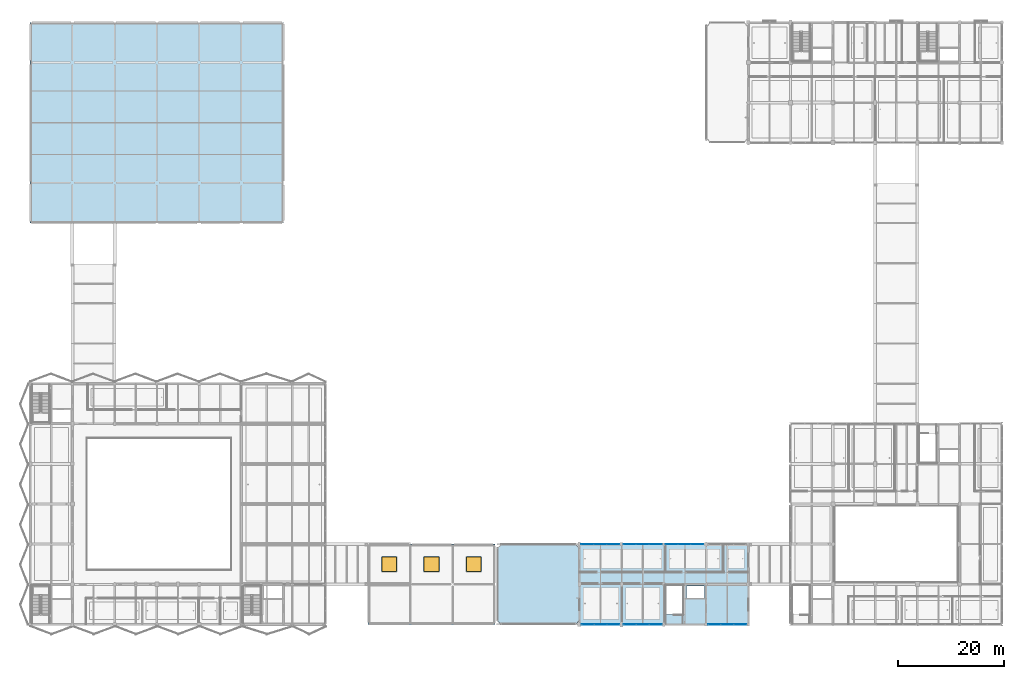
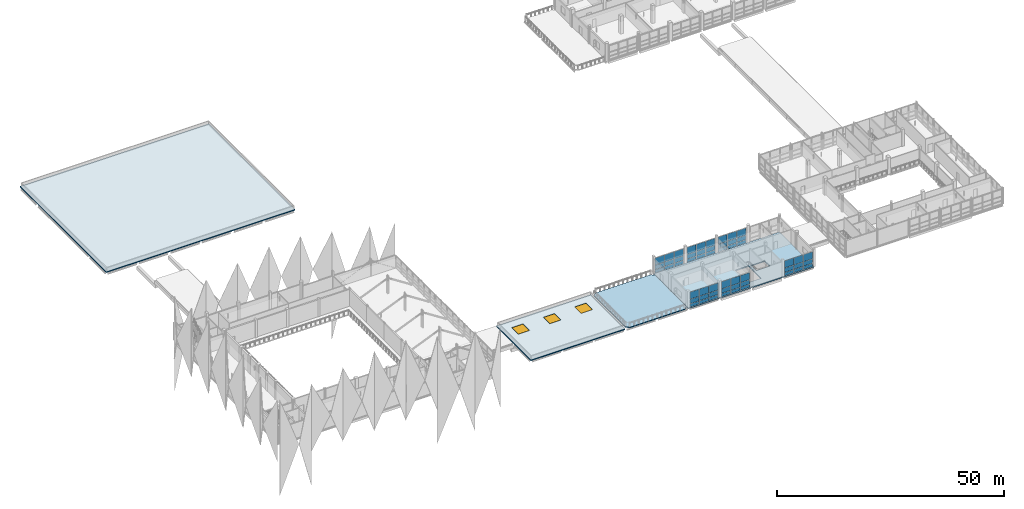
# One storey, part 59 of 107: 54 plates, 4 slabs, 3 windows, 3 openings, 6 elements without a shape of their own.
"""IFC4 building model written with IfcOpenShell, lengths in metres."""

from ifc_helpers import new_model, si_unit, direction, frame, origin, origin_2d, place, context, subcontext, project, spatial, polyline, rectangle, outline, extrude, material, layer, layer_set, type_object, element, fill, aggregate, save


model = new_model("IFC4")

# Units and contexts
model_context = context("Model", 3, precision=1e-05, world=origin(), true_north=direction((0.0, 1.0)))
body_context = subcontext(model_context, "Body", "Model", "MODEL_VIEW")
ifc_project = project(units=[si_unit("LENGTHUNIT", "METRE"), si_unit("AREAUNIT", "SQUARE_METRE"), si_unit("VOLUMEUNIT", "CUBIC_METRE"), si_unit("PLANEANGLEUNIT", "RADIAN"), si_unit("MASSUNIT", "GRAM", prefix="KILO")], contexts=[model_context])

# Site, building, storey
site_placement = place(None, origin())
site = spatial("IfcSite", under=ifc_project, at=site_placement, CompositionType="ELEMENT")
building_placement = place(site_placement, origin())
building = spatial("IfcBuilding", under=site, at=building_placement, Name="Khelvaren Railside Concert Hall", CompositionType="ELEMENT")
storey_placement = place(building_placement, frame((0.0, 0.0, 15.0)))
storey = spatial("IfcBuildingStorey", under=building, at=storey_placement, Name="L03", CompositionType="ELEMENT", Elevation=15.0)

# Curtain wall, plates
ifc_material_1 = material(Name="Double-glazed low-E dark acoustic glass", Category="glass")
curtain_wall_type_1 = type_object("IfcCurtainWallType", Name="CW94", PredefinedType="USERDEFINED", material=ifc_material_1)
curtain_wall_1_placement = place(storey_placement, origin())
curtain_wall_1 = element("IfcCurtainWall", 1, at=curtain_wall_1_placement, inside=storey, type_object=curtain_wall_type_1, Name="Unitised Curtain Wall CW-V3-L03-S-104", ObjectType="UNITISED CURTAIN WALL", PredefinedType="USERDEFINED")
ifc_layer_1 = layer(ifc_material_1, 0.031982421875)
ifc_layer_set_1 = layer_set([ifc_layer_1], Name="Double-glazed low-E dark acoustic glass")
plate_type = type_object("IfcPlateType", Name="CWP84", PredefinedType="CURTAIN_PANEL", material=ifc_layer_set_1)
plate_1_placement = place(storey_placement, frame((110.413818359375, 0.0, 0.06494140625), z_axis=(0.0, 0.0, 1.0), x_axis=(-1.0, 0.0, 0.0)))
plate_1 = element("IfcPlate", 2, at=plate_1_placement, type_object=plate_type, Name="CW94 panel 1.1", PredefinedType="CURTAIN_PANEL", context=body_context, shape_type="SweptSolid", body=[
    extrude(rectangle(XDim=2.3076171875, YDim=0.031982421875, at=origin_2d()), origin(), (0.0, 0.0, 1.0), 0.8525390625),
])
plate_2_placement = place(storey_placement, frame((110.413818359375, 0.0, 0.982666015625), z_axis=(0.0, 0.0, 1.0), x_axis=(-1.0, 0.0, 0.0)))
plate_2 = element("IfcPlate", 3, at=plate_2_placement, type_object=plate_type, Name="CW94 panel 1.2", PredefinedType="CURTAIN_PANEL", context=body_context, shape_type="SweptSolid", body=[
    extrude(rectangle(XDim=2.3076171875, YDim=0.031982421875, at=origin_2d()), origin(), (0.0, 0.0, 1.0), 1.1376953125),
])
plate_3_placement = place(storey_placement, frame((110.413818359375, 0.0, 2.185302734375), z_axis=(0.0, 0.0, 1.0), x_axis=(-1.0, 0.0, 0.0)))
plate_3 = element("IfcPlate", 4, at=plate_3_placement, type_object=plate_type, Name="CW94 panel 1.3", PredefinedType="CURTAIN_PANEL", context=body_context, shape_type="SweptSolid", body=[
    extrude(rectangle(XDim=2.3076171875, YDim=0.031982421875, at=origin_2d()), origin(), (0.0, 0.0, 1.0), 1.8896484375),
])
plate_4_placement = place(storey_placement, frame((108.02490234375, 0.0, 0.06494140625), z_axis=(0.0, 0.0, 1.0), x_axis=(-1.0, 0.0, 0.0)))
plate_4 = element("IfcPlate", 5, at=plate_4_placement, type_object=plate_type, Name="CW94 panel 2.1", PredefinedType="CURTAIN_PANEL", context=body_context, shape_type="SweptSolid", body=[
    extrude(rectangle(XDim=2.340087890625, YDim=0.031982421875, at=origin_2d()), origin(), (0.0, 0.0, 1.0), 0.8525390625),
])
plate_5_placement = place(storey_placement, frame((108.02490234375, 0.0, 0.982666015625), z_axis=(0.0, 0.0, 1.0), x_axis=(-1.0, 0.0, 0.0)))
plate_5 = element("IfcPlate", 6, at=plate_5_placement, type_object=plate_type, Name="CW94 panel 2.2", PredefinedType="CURTAIN_PANEL", context=body_context, shape_type="SweptSolid", body=[
    extrude(rectangle(XDim=2.340087890625, YDim=0.031982421875, at=origin_2d()), origin(), (0.0, 0.0, 1.0), 1.1376953125),
])
plate_6_placement = place(storey_placement, frame((108.02490234375, 0.0, 2.185302734375), z_axis=(0.0, 0.0, 1.0), x_axis=(-1.0, 0.0, 0.0)))
plate_6 = element("IfcPlate", 7, at=plate_6_placement, type_object=plate_type, Name="CW94 panel 2.3", PredefinedType="CURTAIN_PANEL", context=body_context, shape_type="SweptSolid", body=[
    extrude(rectangle(XDim=2.340087890625, YDim=0.031982421875, at=origin_2d()), origin(), (0.0, 0.0, 1.0), 1.8896484375),
])
plate_7_placement = place(storey_placement, frame((105.63623046875, 0.0, 0.06494140625), z_axis=(0.0, 0.0, 1.0), x_axis=(-1.0, 0.0, 0.0)))
plate_7 = element("IfcPlate", 8, at=plate_7_placement, type_object=plate_type, Name="CW94 panel 3.1", PredefinedType="CURTAIN_PANEL", context=body_context, shape_type="SweptSolid", body=[
    extrude(rectangle(XDim=2.3076171875, YDim=0.031982421875, at=origin_2d()), origin(), (0.0, 0.0, 1.0), 0.8525390625),
])
plate_8_placement = place(storey_placement, frame((105.63623046875, 0.0, 0.982666015625), z_axis=(0.0, 0.0, 1.0), x_axis=(-1.0, 0.0, 0.0)))
plate_8 = element("IfcPlate", 9, at=plate_8_placement, type_object=plate_type, Name="CW94 panel 3.2", PredefinedType="CURTAIN_PANEL", context=body_context, shape_type="SweptSolid", body=[
    extrude(rectangle(XDim=2.3076171875, YDim=0.031982421875, at=origin_2d()), origin(), (0.0, 0.0, 1.0), 1.1376953125),
])
plate_9_placement = place(storey_placement, frame((105.63623046875, 0.0, 2.185302734375), z_axis=(0.0, 0.0, 1.0), x_axis=(-1.0, 0.0, 0.0)))
plate_9 = element("IfcPlate", 10, at=plate_9_placement, type_object=plate_type, Name="CW94 panel 3.3", PredefinedType="CURTAIN_PANEL", context=body_context, shape_type="SweptSolid", body=[
    extrude(rectangle(XDim=2.3076171875, YDim=0.031982421875, at=origin_2d()), origin(), (0.0, 0.0, 1.0), 1.8896484375),
])
aggregate(curtain_wall_1, [plate_1, plate_2, plate_3, plate_4, plate_5, plate_6, plate_7, plate_8, plate_9])

curtain_wall_type_2 = type_object("IfcCurtainWallType", Name="CW65", PredefinedType="USERDEFINED", material=ifc_material_1)
curtain_wall_2_placement = place(storey_placement, origin())
curtain_wall_2 = element("IfcCurtainWall", 11, at=curtain_wall_2_placement, inside=storey, type_object=curtain_wall_type_2, Name="Unitised Curtain Wall CW-V3-L03-S-112", ObjectType="UNITISED CURTAIN WALL", PredefinedType="USERDEFINED")
plate_10_placement = place(storey_placement, frame((118.447021484375, 0.0, 0.06494140625), z_axis=(0.0, 0.0, 1.0), x_axis=(-1.0, 0.0, 0.0)))
plate_10 = element("IfcPlate", 12, at=plate_10_placement, type_object=plate_type, Name="CW65 panel 1.1", PredefinedType="CURTAIN_PANEL", context=body_context, shape_type="SweptSolid", body=[
    extrude(rectangle(XDim=2.3408203125, YDim=0.031982421875, at=origin_2d()), origin(), (0.0, 0.0, 1.0), 0.8525390625),
])
plate_11_placement = place(storey_placement, frame((118.447021484375, 0.0, 0.982666015625), z_axis=(0.0, 0.0, 1.0), x_axis=(-1.0, 0.0, 0.0)))
plate_11 = element("IfcPlate", 13, at=plate_11_placement, type_object=plate_type, Name="CW65 panel 1.2", PredefinedType="CURTAIN_PANEL", context=body_context, shape_type="SweptSolid", body=[
    extrude(rectangle(XDim=2.3408203125, YDim=0.031982421875, at=origin_2d()), origin(), (0.0, 0.0, 1.0), 1.1376953125),
])
plate_12_placement = place(storey_placement, frame((118.447021484375, 0.0, 2.185302734375), z_axis=(0.0, 0.0, 1.0), x_axis=(-1.0, 0.0, 0.0)))
plate_12 = element("IfcPlate", 14, at=plate_12_placement, type_object=plate_type, Name="CW65 panel 1.3", PredefinedType="CURTAIN_PANEL", context=body_context, shape_type="SweptSolid", body=[
    extrude(rectangle(XDim=2.3408203125, YDim=0.031982421875, at=origin_2d()), origin(), (0.0, 0.0, 1.0), 1.8896484375),
])
plate_13_placement = place(storey_placement, frame((116.02490234375, 0.0, 0.06494140625), z_axis=(0.0, 0.0, 1.0), x_axis=(-1.0, 0.0, 0.0)))
plate_13 = element("IfcPlate", 15, at=plate_13_placement, type_object=plate_type, Name="CW65 panel 2.1", PredefinedType="CURTAIN_PANEL", context=body_context, shape_type="SweptSolid", body=[
    extrude(rectangle(XDim=2.373291015625, YDim=0.031982421875, at=origin_2d()), origin(), (0.0, 0.0, 1.0), 0.8525390625),
])
plate_14_placement = place(storey_placement, frame((116.02490234375, 0.0, 0.982666015625), z_axis=(0.0, 0.0, 1.0), x_axis=(-1.0, 0.0, 0.0)))
plate_14 = element("IfcPlate", 16, at=plate_14_placement, type_object=plate_type, Name="CW65 panel 2.2", PredefinedType="CURTAIN_PANEL", context=body_context, shape_type="SweptSolid", body=[
    extrude(rectangle(XDim=2.373291015625, YDim=0.031982421875, at=origin_2d()), origin(), (0.0, 0.0, 1.0), 1.1376953125),
])
plate_15_placement = place(storey_placement, frame((116.02490234375, 0.0, 2.185302734375), z_axis=(0.0, 0.0, 1.0), x_axis=(-1.0, 0.0, 0.0)))
plate_15 = element("IfcPlate", 17, at=plate_15_placement, type_object=plate_type, Name="CW65 panel 2.3", PredefinedType="CURTAIN_PANEL", context=body_context, shape_type="SweptSolid", body=[
    extrude(rectangle(XDim=2.373291015625, YDim=0.031982421875, at=origin_2d()), origin(), (0.0, 0.0, 1.0), 1.8896484375),
])
plate_16_placement = place(storey_placement, frame((113.60302734375, 0.0, 0.06494140625), z_axis=(0.0, 0.0, 1.0), x_axis=(-1.0, 0.0, 0.0)))
plate_16 = element("IfcPlate", 18, at=plate_16_placement, type_object=plate_type, Name="CW65 panel 3.1", PredefinedType="CURTAIN_PANEL", context=body_context, shape_type="SweptSolid", body=[
    extrude(rectangle(XDim=2.3408203125, YDim=0.031982421875, at=origin_2d()), origin(), (0.0, 0.0, 1.0), 0.8525390625),
])
plate_17_placement = place(storey_placement, frame((113.60302734375, 0.0, 0.982666015625), z_axis=(0.0, 0.0, 1.0), x_axis=(-1.0, 0.0, 0.0)))
plate_17 = element("IfcPlate", 19, at=plate_17_placement, type_object=plate_type, Name="CW65 panel 3.2", PredefinedType="CURTAIN_PANEL", context=body_context, shape_type="SweptSolid", body=[
    extrude(rectangle(XDim=2.3408203125, YDim=0.031982421875, at=origin_2d()), origin(), (0.0, 0.0, 1.0), 1.1376953125),
])
plate_18_placement = place(storey_placement, frame((113.60302734375, 0.0, 2.185302734375), z_axis=(0.0, 0.0, 1.0), x_axis=(-1.0, 0.0, 0.0)))
plate_18 = element("IfcPlate", 20, at=plate_18_placement, type_object=plate_type, Name="CW65 panel 3.3", PredefinedType="CURTAIN_PANEL", context=body_context, shape_type="SweptSolid", body=[
    extrude(rectangle(XDim=2.3408203125, YDim=0.031982421875, at=origin_2d()), origin(), (0.0, 0.0, 1.0), 1.8896484375),
])
aggregate(curtain_wall_2, [plate_10, plate_11, plate_12, plate_13, plate_14, plate_15, plate_16, plate_17, plate_18])

curtain_wall_type_3 = type_object("IfcCurtainWallType", Name="CW69", PredefinedType="USERDEFINED", material=ifc_material_1)
curtain_wall_3_placement = place(storey_placement, origin())
curtain_wall_3 = element("IfcCurtainWall", 21, at=curtain_wall_3_placement, inside=storey, type_object=curtain_wall_type_3, Name="Unitised Curtain Wall CW-V3-L03-S-128", ObjectType="UNITISED CURTAIN WALL", PredefinedType="USERDEFINED")
plate_19_placement = place(storey_placement, frame((134.447021484375, 0.0, 0.06494140625), z_axis=(0.0, 0.0, 1.0), x_axis=(-1.0, 0.0, 0.0)))
plate_19 = element("IfcPlate", 22, at=plate_19_placement, type_object=plate_type, Name="CW69 panel 1.1", PredefinedType="CURTAIN_PANEL", context=body_context, shape_type="SweptSolid", body=[
    extrude(rectangle(XDim=2.3408203125, YDim=0.031982421875, at=origin_2d()), origin(), (0.0, 0.0, 1.0), 0.8525390625),
])
plate_20_placement = place(storey_placement, frame((134.447021484375, 0.0, 0.982666015625), z_axis=(0.0, 0.0, 1.0), x_axis=(-1.0, 0.0, 0.0)))
plate_20 = element("IfcPlate", 23, at=plate_20_placement, type_object=plate_type, Name="CW69 panel 1.2", PredefinedType="CURTAIN_PANEL", context=body_context, shape_type="SweptSolid", body=[
    extrude(rectangle(XDim=2.3408203125, YDim=0.031982421875, at=origin_2d()), origin(), (0.0, 0.0, 1.0), 1.1376953125),
])
plate_21_placement = place(storey_placement, frame((134.447021484375, 0.0, 2.185302734375), z_axis=(0.0, 0.0, 1.0), x_axis=(-1.0, 0.0, 0.0)))
plate_21 = element("IfcPlate", 24, at=plate_21_placement, type_object=plate_type, Name="CW69 panel 1.3", PredefinedType="CURTAIN_PANEL", context=body_context, shape_type="SweptSolid", body=[
    extrude(rectangle(XDim=2.3408203125, YDim=0.031982421875, at=origin_2d()), origin(), (0.0, 0.0, 1.0), 1.8896484375),
])
plate_22_placement = place(storey_placement, frame((132.02490234375, 0.0, 0.06494140625), z_axis=(0.0, 0.0, 1.0), x_axis=(-1.0, 0.0, 0.0)))
plate_22 = element("IfcPlate", 25, at=plate_22_placement, type_object=plate_type, Name="CW69 panel 2.1", PredefinedType="CURTAIN_PANEL", context=body_context, shape_type="SweptSolid", body=[
    extrude(rectangle(XDim=2.373291015625, YDim=0.031982421875, at=origin_2d()), origin(), (0.0, 0.0, 1.0), 0.8525390625),
])
plate_23_placement = place(storey_placement, frame((132.02490234375, 0.0, 0.982666015625), z_axis=(0.0, 0.0, 1.0), x_axis=(-1.0, 0.0, 0.0)))
plate_23 = element("IfcPlate", 26, at=plate_23_placement, type_object=plate_type, Name="CW69 panel 2.2", PredefinedType="CURTAIN_PANEL", context=body_context, shape_type="SweptSolid", body=[
    extrude(rectangle(XDim=2.373291015625, YDim=0.031982421875, at=origin_2d()), origin(), (0.0, 0.0, 1.0), 1.1376953125),
])
plate_24_placement = place(storey_placement, frame((132.02490234375, 0.0, 2.185302734375), z_axis=(0.0, 0.0, 1.0), x_axis=(-1.0, 0.0, 0.0)))
plate_24 = element("IfcPlate", 27, at=plate_24_placement, type_object=plate_type, Name="CW69 panel 2.3", PredefinedType="CURTAIN_PANEL", context=body_context, shape_type="SweptSolid", body=[
    extrude(rectangle(XDim=2.373291015625, YDim=0.031982421875, at=origin_2d()), origin(), (0.0, 0.0, 1.0), 1.8896484375),
])
plate_25_placement = place(storey_placement, frame((129.60302734375, 0.0, 0.06494140625), z_axis=(0.0, 0.0, 1.0), x_axis=(-1.0, 0.0, 0.0)))
plate_25 = element("IfcPlate", 28, at=plate_25_placement, type_object=plate_type, Name="CW69 panel 3.1", PredefinedType="CURTAIN_PANEL", context=body_context, shape_type="SweptSolid", body=[
    extrude(rectangle(XDim=2.3408203125, YDim=0.031982421875, at=origin_2d()), origin(), (0.0, 0.0, 1.0), 0.8525390625),
])
plate_26_placement = place(storey_placement, frame((129.60302734375, 0.0, 0.982666015625), z_axis=(0.0, 0.0, 1.0), x_axis=(-1.0, 0.0, 0.0)))
plate_26 = element("IfcPlate", 29, at=plate_26_placement, type_object=plate_type, Name="CW69 panel 3.2", PredefinedType="CURTAIN_PANEL", context=body_context, shape_type="SweptSolid", body=[
    extrude(rectangle(XDim=2.3408203125, YDim=0.031982421875, at=origin_2d()), origin(), (0.0, 0.0, 1.0), 1.1376953125),
])
plate_27_placement = place(storey_placement, frame((129.60302734375, 0.0, 2.185302734375), z_axis=(0.0, 0.0, 1.0), x_axis=(-1.0, 0.0, 0.0)))
plate_27 = element("IfcPlate", 30, at=plate_27_placement, type_object=plate_type, Name="CW69 panel 3.3", PredefinedType="CURTAIN_PANEL", context=body_context, shape_type="SweptSolid", body=[
    extrude(rectangle(XDim=2.3408203125, YDim=0.031982421875, at=origin_2d()), origin(), (0.0, 0.0, 1.0), 1.8896484375),
])
aggregate(curtain_wall_3, [plate_19, plate_20, plate_21, plate_22, plate_23, plate_24, plate_25, plate_26, plate_27])

curtain_wall_type_4 = type_object("IfcCurtainWallType", Name="CW32", PredefinedType="USERDEFINED", material=ifc_material_1)
curtain_wall_4_placement = place(storey_placement, origin())
curtain_wall_4 = element("IfcCurtainWall", 31, at=curtain_wall_4_placement, inside=storey, type_object=curtain_wall_type_4, Name="Unitised Curtain Wall CW-V3-L03-N-104", ObjectType="UNITISED CURTAIN WALL", PredefinedType="USERDEFINED")
plate_28_placement = place(storey_placement, frame((105.552978515625, 15.199951171875, 0.06494140625), z_axis=(0.0, 0.0, 1.0), x_axis=(1.0, 0.0, 0.0)))
plate_28 = element("IfcPlate", 32, at=plate_28_placement, type_object=plate_type, Name="CW32 panel 1.1", PredefinedType="CURTAIN_PANEL", context=body_context, shape_type="SweptSolid", body=[
    extrude(rectangle(XDim=2.3408203125, YDim=0.031982421875, at=origin_2d()), origin(), (0.0, 0.0, 1.0), 0.8525390625),
])
plate_29_placement = place(storey_placement, frame((105.552978515625, 15.199951171875, 0.982666015625), z_axis=(0.0, 0.0, 1.0), x_axis=(1.0, 0.0, 0.0)))
plate_29 = element("IfcPlate", 33, at=plate_29_placement, type_object=plate_type, Name="CW32 panel 1.2", PredefinedType="CURTAIN_PANEL", context=body_context, shape_type="SweptSolid", body=[
    extrude(rectangle(XDim=2.3408203125, YDim=0.031982421875, at=origin_2d()), origin(), (0.0, 0.0, 1.0), 1.1376953125),
])
plate_30_placement = place(storey_placement, frame((105.552978515625, 15.199951171875, 2.185302734375), z_axis=(0.0, 0.0, 1.0), x_axis=(1.0, 0.0, 0.0)))
plate_30 = element("IfcPlate", 34, at=plate_30_placement, type_object=plate_type, Name="CW32 panel 1.3", PredefinedType="CURTAIN_PANEL", context=body_context, shape_type="SweptSolid", body=[
    extrude(rectangle(XDim=2.3408203125, YDim=0.031982421875, at=origin_2d()), origin(), (0.0, 0.0, 1.0), 1.8896484375),
])
plate_31_placement = place(storey_placement, frame((107.97509765625, 15.199951171875, 0.06494140625), z_axis=(0.0, 0.0, 1.0), x_axis=(1.0, 0.0, 0.0)))
plate_31 = element("IfcPlate", 35, at=plate_31_placement, type_object=plate_type, Name="CW32 panel 2.1", PredefinedType="CURTAIN_PANEL", context=body_context, shape_type="SweptSolid", body=[
    extrude(rectangle(XDim=2.373291015625, YDim=0.031982421875, at=origin_2d()), origin(), (0.0, 0.0, 1.0), 0.8525390625),
])
plate_32_placement = place(storey_placement, frame((107.97509765625, 15.199951171875, 0.982666015625), z_axis=(0.0, 0.0, 1.0), x_axis=(1.0, 0.0, 0.0)))
plate_32 = element("IfcPlate", 36, at=plate_32_placement, type_object=plate_type, Name="CW32 panel 2.2", PredefinedType="CURTAIN_PANEL", context=body_context, shape_type="SweptSolid", body=[
    extrude(rectangle(XDim=2.373291015625, YDim=0.031982421875, at=origin_2d()), origin(), (0.0, 0.0, 1.0), 1.1376953125),
])
plate_33_placement = place(storey_placement, frame((107.97509765625, 15.199951171875, 2.185302734375), z_axis=(0.0, 0.0, 1.0), x_axis=(1.0, 0.0, 0.0)))
plate_33 = element("IfcPlate", 37, at=plate_33_placement, type_object=plate_type, Name="CW32 panel 2.3", PredefinedType="CURTAIN_PANEL", context=body_context, shape_type="SweptSolid", body=[
    extrude(rectangle(XDim=2.373291015625, YDim=0.031982421875, at=origin_2d()), origin(), (0.0, 0.0, 1.0), 1.8896484375),
])
plate_34_placement = place(storey_placement, frame((110.39697265625, 15.199951171875, 0.06494140625), z_axis=(0.0, 0.0, 1.0), x_axis=(1.0, 0.0, 0.0)))
plate_34 = element("IfcPlate", 38, at=plate_34_placement, type_object=plate_type, Name="CW32 panel 3.1", PredefinedType="CURTAIN_PANEL", context=body_context, shape_type="SweptSolid", body=[
    extrude(rectangle(XDim=2.3408203125, YDim=0.031982421875, at=origin_2d()), origin(), (0.0, 0.0, 1.0), 0.8525390625),
])
plate_35_placement = place(storey_placement, frame((110.39697265625, 15.199951171875, 0.982666015625), z_axis=(0.0, 0.0, 1.0), x_axis=(1.0, 0.0, 0.0)))
plate_35 = element("IfcPlate", 39, at=plate_35_placement, type_object=plate_type, Name="CW32 panel 3.2", PredefinedType="CURTAIN_PANEL", context=body_context, shape_type="SweptSolid", body=[
    extrude(rectangle(XDim=2.3408203125, YDim=0.031982421875, at=origin_2d()), origin(), (0.0, 0.0, 1.0), 1.1376953125),
])
plate_36_placement = place(storey_placement, frame((110.39697265625, 15.199951171875, 2.185302734375), z_axis=(0.0, 0.0, 1.0), x_axis=(1.0, 0.0, 0.0)))
plate_36 = element("IfcPlate", 40, at=plate_36_placement, type_object=plate_type, Name="CW32 panel 3.3", PredefinedType="CURTAIN_PANEL", context=body_context, shape_type="SweptSolid", body=[
    extrude(rectangle(XDim=2.3408203125, YDim=0.031982421875, at=origin_2d()), origin(), (0.0, 0.0, 1.0), 1.8896484375),
])
aggregate(curtain_wall_4, [plate_28, plate_29, plate_30, plate_31, plate_32, plate_33, plate_34, plate_35, plate_36])

curtain_wall_5_placement = place(storey_placement, origin())
curtain_wall_5 = element("IfcCurtainWall", 41, at=curtain_wall_5_placement, inside=storey, type_object=curtain_wall_type_1, Name="Unitised Curtain Wall CW-V3-L03-N-112", ObjectType="UNITISED CURTAIN WALL", PredefinedType="USERDEFINED")
plate_37_placement = place(storey_placement, frame((113.60302734375, 15.199951171875, 0.06494140625), z_axis=(0.0, 0.0, 1.0), x_axis=(1.0, 0.0, 0.0)))
plate_37 = element("IfcPlate", 42, at=plate_37_placement, type_object=plate_type, Name="CW94 panel 1.1", PredefinedType="CURTAIN_PANEL", context=body_context, shape_type="SweptSolid", body=[
    extrude(rectangle(XDim=2.3408203125, YDim=0.031982421875, at=origin_2d()), origin(), (0.0, 0.0, 1.0), 0.8525390625),
])
plate_38_placement = place(storey_placement, frame((113.60302734375, 15.199951171875, 0.982666015625), z_axis=(0.0, 0.0, 1.0), x_axis=(1.0, 0.0, 0.0)))
plate_38 = element("IfcPlate", 43, at=plate_38_placement, type_object=plate_type, Name="CW94 panel 1.2", PredefinedType="CURTAIN_PANEL", context=body_context, shape_type="SweptSolid", body=[
    extrude(rectangle(XDim=2.3408203125, YDim=0.031982421875, at=origin_2d()), origin(), (0.0, 0.0, 1.0), 1.1376953125),
])
plate_39_placement = place(storey_placement, frame((113.60302734375, 15.199951171875, 2.185302734375), z_axis=(0.0, 0.0, 1.0), x_axis=(1.0, 0.0, 0.0)))
plate_39 = element("IfcPlate", 44, at=plate_39_placement, type_object=plate_type, Name="CW94 panel 1.3", PredefinedType="CURTAIN_PANEL", context=body_context, shape_type="SweptSolid", body=[
    extrude(rectangle(XDim=2.3408203125, YDim=0.031982421875, at=origin_2d()), origin(), (0.0, 0.0, 1.0), 1.8896484375),
])
plate_40_placement = place(storey_placement, frame((116.02490234375, 15.199951171875, 0.06494140625), z_axis=(0.0, 0.0, 1.0), x_axis=(1.0, 0.0, 0.0)))
plate_40 = element("IfcPlate", 45, at=plate_40_placement, type_object=plate_type, Name="CW94 panel 2.1", PredefinedType="CURTAIN_PANEL", context=body_context, shape_type="SweptSolid", body=[
    extrude(rectangle(XDim=2.373291015625, YDim=0.031982421875, at=origin_2d()), origin(), (0.0, 0.0, 1.0), 0.8525390625),
])
plate_41_placement = place(storey_placement, frame((116.02490234375, 15.199951171875, 0.982666015625), z_axis=(0.0, 0.0, 1.0), x_axis=(1.0, 0.0, 0.0)))
plate_41 = element("IfcPlate", 46, at=plate_41_placement, type_object=plate_type, Name="CW94 panel 2.2", PredefinedType="CURTAIN_PANEL", context=body_context, shape_type="SweptSolid", body=[
    extrude(rectangle(XDim=2.373291015625, YDim=0.031982421875, at=origin_2d()), origin(), (0.0, 0.0, 1.0), 1.1376953125),
])
plate_42_placement = place(storey_placement, frame((116.02490234375, 15.199951171875, 2.185302734375), z_axis=(0.0, 0.0, 1.0), x_axis=(1.0, 0.0, 0.0)))
plate_42 = element("IfcPlate", 47, at=plate_42_placement, type_object=plate_type, Name="CW94 panel 2.3", PredefinedType="CURTAIN_PANEL", context=body_context, shape_type="SweptSolid", body=[
    extrude(rectangle(XDim=2.373291015625, YDim=0.031982421875, at=origin_2d()), origin(), (0.0, 0.0, 1.0), 1.8896484375),
])
plate_43_placement = place(storey_placement, frame((118.447021484375, 15.199951171875, 0.06494140625), z_axis=(0.0, 0.0, 1.0), x_axis=(1.0, 0.0, 0.0)))
plate_43 = element("IfcPlate", 48, at=plate_43_placement, type_object=plate_type, Name="CW94 panel 3.1", PredefinedType="CURTAIN_PANEL", context=body_context, shape_type="SweptSolid", body=[
    extrude(rectangle(XDim=2.3408203125, YDim=0.031982421875, at=origin_2d()), origin(), (0.0, 0.0, 1.0), 0.8525390625),
])
plate_44_placement = place(storey_placement, frame((118.447021484375, 15.199951171875, 0.982666015625), z_axis=(0.0, 0.0, 1.0), x_axis=(1.0, 0.0, 0.0)))
plate_44 = element("IfcPlate", 49, at=plate_44_placement, type_object=plate_type, Name="CW94 panel 3.2", PredefinedType="CURTAIN_PANEL", context=body_context, shape_type="SweptSolid", body=[
    extrude(rectangle(XDim=2.3408203125, YDim=0.031982421875, at=origin_2d()), origin(), (0.0, 0.0, 1.0), 1.1376953125),
])
plate_45_placement = place(storey_placement, frame((118.447021484375, 15.199951171875, 2.185302734375), z_axis=(0.0, 0.0, 1.0), x_axis=(1.0, 0.0, 0.0)))
plate_45 = element("IfcPlate", 50, at=plate_45_placement, type_object=plate_type, Name="CW94 panel 3.3", PredefinedType="CURTAIN_PANEL", context=body_context, shape_type="SweptSolid", body=[
    extrude(rectangle(XDim=2.3408203125, YDim=0.031982421875, at=origin_2d()), origin(), (0.0, 0.0, 1.0), 1.8896484375),
])
aggregate(curtain_wall_5, [plate_37, plate_38, plate_39, plate_40, plate_41, plate_42, plate_43, plate_44, plate_45])

curtain_wall_6_placement = place(storey_placement, origin())
curtain_wall_6 = element("IfcCurtainWall", 51, at=curtain_wall_6_placement, inside=storey, type_object=curtain_wall_type_2, Name="Unitised Curtain Wall CW-V3-L03-N-120", ObjectType="UNITISED CURTAIN WALL", PredefinedType="USERDEFINED")
plate_46_placement = place(storey_placement, frame((121.5361328125, 15.199951171875, 0.06494140625), z_axis=(0.0, 0.0, 1.0), x_axis=(1.0, 0.0, 0.0)))
plate_46 = element("IfcPlate", 52, at=plate_46_placement, type_object=plate_type, Name="CW65 panel 1.1", PredefinedType="CURTAIN_PANEL", context=body_context, shape_type="SweptSolid", body=[
    extrude(rectangle(XDim=2.3076171875, YDim=0.031982421875, at=origin_2d()), origin(), (0.0, 0.0, 1.0), 0.8525390625),
])
plate_47_placement = place(storey_placement, frame((121.5361328125, 15.199951171875, 0.982666015625), z_axis=(0.0, 0.0, 1.0), x_axis=(1.0, 0.0, 0.0)))
plate_47 = element("IfcPlate", 53, at=plate_47_placement, type_object=plate_type, Name="CW65 panel 1.2", PredefinedType="CURTAIN_PANEL", context=body_context, shape_type="SweptSolid", body=[
    extrude(rectangle(XDim=2.3076171875, YDim=0.031982421875, at=origin_2d()), origin(), (0.0, 0.0, 1.0), 1.1376953125),
])
plate_48_placement = place(storey_placement, frame((121.5361328125, 15.199951171875, 2.185302734375), z_axis=(0.0, 0.0, 1.0), x_axis=(1.0, 0.0, 0.0)))
plate_48 = element("IfcPlate", 54, at=plate_48_placement, type_object=plate_type, Name="CW65 panel 1.3", PredefinedType="CURTAIN_PANEL", context=body_context, shape_type="SweptSolid", body=[
    extrude(rectangle(XDim=2.3076171875, YDim=0.031982421875, at=origin_2d()), origin(), (0.0, 0.0, 1.0), 1.8896484375),
])
plate_49_placement = place(storey_placement, frame((123.925048828125, 15.199951171875, 0.06494140625), z_axis=(0.0, 0.0, 1.0), x_axis=(1.0, 0.0, 0.0)))
plate_49 = element("IfcPlate", 55, at=plate_49_placement, type_object=plate_type, Name="CW65 panel 2.1", PredefinedType="CURTAIN_PANEL", context=body_context, shape_type="SweptSolid", body=[
    extrude(rectangle(XDim=2.340087890625, YDim=0.031982421875, at=origin_2d()), origin(), (0.0, 0.0, 1.0), 0.8525390625),
])
plate_50_placement = place(storey_placement, frame((123.925048828125, 15.199951171875, 0.982666015625), z_axis=(0.0, 0.0, 1.0), x_axis=(1.0, 0.0, 0.0)))
plate_50 = element("IfcPlate", 56, at=plate_50_placement, type_object=plate_type, Name="CW65 panel 2.2", PredefinedType="CURTAIN_PANEL", context=body_context, shape_type="SweptSolid", body=[
    extrude(rectangle(XDim=2.340087890625, YDim=0.031982421875, at=origin_2d()), origin(), (0.0, 0.0, 1.0), 1.1376953125),
])
plate_51_placement = place(storey_placement, frame((123.925048828125, 15.199951171875, 2.185302734375), z_axis=(0.0, 0.0, 1.0), x_axis=(1.0, 0.0, 0.0)))
plate_51 = element("IfcPlate", 57, at=plate_51_placement, type_object=plate_type, Name="CW65 panel 2.3", PredefinedType="CURTAIN_PANEL", context=body_context, shape_type="SweptSolid", body=[
    extrude(rectangle(XDim=2.340087890625, YDim=0.031982421875, at=origin_2d()), origin(), (0.0, 0.0, 1.0), 1.8896484375),
])
plate_52_placement = place(storey_placement, frame((126.313720703125, 15.199951171875, 0.06494140625), z_axis=(0.0, 0.0, 1.0), x_axis=(1.0, 0.0, 0.0)))
plate_52 = element("IfcPlate", 58, at=plate_52_placement, type_object=plate_type, Name="CW65 panel 3.1", PredefinedType="CURTAIN_PANEL", context=body_context, shape_type="SweptSolid", body=[
    extrude(rectangle(XDim=2.3076171875, YDim=0.031982421875, at=origin_2d()), origin(), (0.0, 0.0, 1.0), 0.8525390625),
])
plate_53_placement = place(storey_placement, frame((126.313720703125, 15.199951171875, 0.982666015625), z_axis=(0.0, 0.0, 1.0), x_axis=(1.0, 0.0, 0.0)))
plate_53 = element("IfcPlate", 59, at=plate_53_placement, type_object=plate_type, Name="CW65 panel 3.2", PredefinedType="CURTAIN_PANEL", context=body_context, shape_type="SweptSolid", body=[
    extrude(rectangle(XDim=2.3076171875, YDim=0.031982421875, at=origin_2d()), origin(), (0.0, 0.0, 1.0), 1.1376953125),
])
plate_54_placement = place(storey_placement, frame((126.313720703125, 15.199951171875, 2.185302734375), z_axis=(0.0, 0.0, 1.0), x_axis=(1.0, 0.0, 0.0)))
plate_54 = element("IfcPlate", 60, at=plate_54_placement, type_object=plate_type, Name="CW65 panel 3.3", PredefinedType="CURTAIN_PANEL", context=body_context, shape_type="SweptSolid", body=[
    extrude(rectangle(XDim=2.3076171875, YDim=0.031982421875, at=origin_2d()), origin(), (0.0, 0.0, 1.0), 1.8896484375),
])
aggregate(curtain_wall_6, [plate_46, plate_47, plate_48, plate_49, plate_50, plate_51, plate_52, plate_53, plate_54])

# Slabs
ifc_material_2 = material(Name="Concrete C40/50", Category="concrete")
ifc_layer_2 = layer(ifc_material_2, 0.219970703125)
ifc_layer_set_2 = layer_set([ifc_layer_2], Name="Concrete C40/50")
slab_type_1 = type_object("IfcSlabType", Name="FS13", PredefinedType="FLOOR", material=ifc_layer_set_2)
slab_1_placement = place(storey_placement, frame((0.0, 0.0, -0.219970703125)))
element("IfcSlab", 61, at=slab_1_placement, inside=storey, type_object=slab_type_1, Name="V3 L03 Outdoor Promenade Terrace Slab", PredefinedType="FLOOR", context=body_context, shape_type="SweptSolid", body=[
    extrude(outline(polyline([(89.14990234375, 0.0), (103.300048828125, 0.0), (104.0, 0.699951171875), (104.0, 14.5), (103.300048828125, 15.199951171875), (89.14990234375, 15.199951171875), (88.449951171875, 14.5), (88.449951171875, 0.699951171875), (89.14990234375, 0.0)])), origin(), (0.0, 0.0, 1.0), 0.219970703125),
])
ifc_layer_3 = layer(ifc_material_2, 0.280029296875)
ifc_layer_set_3 = layer_set([ifc_layer_3], Name="Concrete C40/50")
slab_type_2 = type_object("IfcSlabType", Name="FS18", PredefinedType="FLOOR", material=ifc_layer_set_3)
slab_2_placement = place(storey_placement, frame((0.0, 0.0, -0.280029296875)))
element("IfcSlab", 62, at=slab_2_placement, inside=storey, type_object=slab_type_2, Name="V3 L03 Structural Floor Slab", PredefinedType="FLOOR", context=body_context, shape_type="SweptSolid", body=[
    extrude(outline(polyline([(104.0, 0.0), (136.0, 0.0), (136.0, 15.199951171875), (104.0, 15.199951171875), (104.0, 0.0)]), holes=[polyline([(123.6201171875, 1.840087890625), (123.6201171875, 7.360107421875), (120.300048828125, 7.360107421875), (120.300048828125, 1.840087890625), (123.6201171875, 1.840087890625)]), polyline([(124.25, 4.949951171875), (127.64990234375, 4.949951171875), (127.64990234375, 7.25), (124.25, 7.25), (124.25, 4.949951171875)])]), origin(), (0.0, 0.0, 1.0), 0.280029296875),
])

# Slab, openings, windows
ifc_layer_4 = layer(ifc_material_2, 0.260009765625)
ifc_layer_set_4 = layer_set([ifc_layer_4], Name="Concrete C40/50")
slab_type_3 = type_object("IfcSlabType", Name="RS89", PredefinedType="ROOF", material=ifc_layer_set_4)
slab_3_placement = place(storey_placement, frame((0.0, 0.0, -0.260009765625)))
slab_3 = element("IfcSlab", 63, at=slab_3_placement, inside=storey, type_object=slab_type_3, Name="V3-W L03 Flat Roof Slab", PredefinedType="ROOF", context=body_context, shape_type="SweptSolid", body=[
    extrude(outline(polyline([(64.0, 0.0), (88.0, 0.0), (88.0, 15.199951171875), (64.0, 15.199951171875), (64.0, 0.0)]), holes=[polyline([(66.60009765625, 10.0), (69.39990234375, 10.0), (69.39990234375, 12.800048828125), (66.60009765625, 12.800048828125), (66.60009765625, 10.0)]), polyline([(74.60009765625, 10.0), (77.39990234375, 10.0), (77.39990234375, 12.800048828125), (74.60009765625, 12.800048828125), (74.60009765625, 10.0)]), polyline([(82.60009765625, 10.0), (85.39990234375, 10.0), (85.39990234375, 12.800048828125), (82.60009765625, 12.800048828125), (82.60009765625, 10.0)])]), origin(), (0.0, 0.0, 1.0), 0.260009765625),
])
opening_1_placement = place(slab_3_placement, frame((68.0, 11.39990234375, 0.0)))
opening_1 = element("IfcOpeningElement", 64, at=opening_1_placement, cuts=slab_3, Name="Opening SK98", PredefinedType="OPENING", context=body_context, shape_type="SweptSolid", body=[
    extrude(rectangle(XDim=2.800048828125, YDim=2.800048828125, at=origin_2d()), frame((0.0, 0.0, -0.010009765625)), (0.0, 0.0, 1.0), 0.280029296875),
])
opening_2_placement = place(slab_3_placement, frame((76.0, 11.39990234375, 0.0)))
opening_2 = element("IfcOpeningElement", 65, at=opening_2_placement, cuts=slab_3, Name="Opening SK98", PredefinedType="OPENING", context=body_context, shape_type="SweptSolid", body=[
    extrude(rectangle(XDim=2.800048828125, YDim=2.800048828125, at=origin_2d()), frame((0.0, 0.0, -0.010009765625)), (0.0, 0.0, 1.0), 0.280029296875),
])
opening_3_placement = place(slab_3_placement, frame((84.0, 11.39990234375, 0.0)))
opening_3 = element("IfcOpeningElement", 66, at=opening_3_placement, cuts=slab_3, Name="Opening SK98", PredefinedType="OPENING", context=body_context, shape_type="SweptSolid", body=[
    extrude(rectangle(XDim=2.800048828125, YDim=2.800048828125, at=origin_2d()), frame((0.0, 0.0, -0.010009765625)), (0.0, 0.0, 1.0), 0.280029296875),
])
ifc_material_3 = material(Name="Acoustic triple-glazed roof skylight", Category="glass")
window_type = type_object("IfcWindowType", Name="SK98", PartitioningType="SINGLE_PANEL", PredefinedType="SKYLIGHT", material=ifc_material_3)
window_1_placement = place(opening_1_placement, frame((0.0, 0.0, 0.2099609375)))
window_1 = element("IfcWindow", 67, at=window_1_placement, inside=storey, type_object=window_type, Name="Acoustic Roof Skylight 05", OverallHeight=2.800048828125, OverallWidth=2.800048828125, PartitioningType="SINGLE_PANEL", PredefinedType="SKYLIGHT", context=body_context, shape_type="SweptSolid", body=[
    extrude(rectangle(XDim=2.800048828125, YDim=2.800048828125, at=origin_2d()), origin(), (0.0, 0.0, 1.0), 0.050048828125),
])
fill(opening_1, window_1)
window_2_placement = place(opening_2_placement, frame((0.0, 0.0, 0.2099609375)))
window_2 = element("IfcWindow", 68, at=window_2_placement, inside=storey, type_object=window_type, Name="Acoustic Roof Skylight 06", OverallHeight=2.800048828125, OverallWidth=2.800048828125, PartitioningType="SINGLE_PANEL", PredefinedType="SKYLIGHT", context=body_context, shape_type="SweptSolid", body=[
    extrude(rectangle(XDim=2.800048828125, YDim=2.800048828125, at=origin_2d()), origin(), (0.0, 0.0, 1.0), 0.050048828125),
])
fill(opening_2, window_2)
window_3_placement = place(opening_3_placement, frame((0.0, 0.0, 0.2099609375)))
window_3 = element("IfcWindow", 69, at=window_3_placement, inside=storey, type_object=window_type, Name="Acoustic Roof Skylight 07", OverallHeight=2.800048828125, OverallWidth=2.800048828125, PartitioningType="SINGLE_PANEL", PredefinedType="SKYLIGHT", context=body_context, shape_type="SweptSolid", body=[
    extrude(rectangle(XDim=2.800048828125, YDim=2.800048828125, at=origin_2d()), origin(), (0.0, 0.0, 1.0), 0.050048828125),
])
fill(opening_3, window_3)

# Slab
ifc_layer_5 = layer(ifc_material_2, 0.239990234375)
ifc_layer_set_5 = layer_set([ifc_layer_5], Name="Concrete C40/50")
slab_type_4 = type_object("IfcSlabType", Name="RS94", PredefinedType="ROOF", material=ifc_layer_set_5)
slab_4_placement = place(storey_placement, frame((0.0, 0.0, -0.239990234375)))
element("IfcSlab", 70, at=slab_4_placement, inside=storey, type_object=slab_type_4, Name="V4 Chamber Pavilion Flat Acoustic Roof Slab", PredefinedType="ROOF", context=body_context, shape_type="SweptSolid", body=[
    extrude(outline(polyline([(0.0, 76.0), (48.0, 76.0), (48.0, 114.0), (0.0, 114.0), (0.0, 76.0)])), origin(), (0.0, 0.0, 1.0), 0.239990234375),
])

save(model, "model.ifc")
